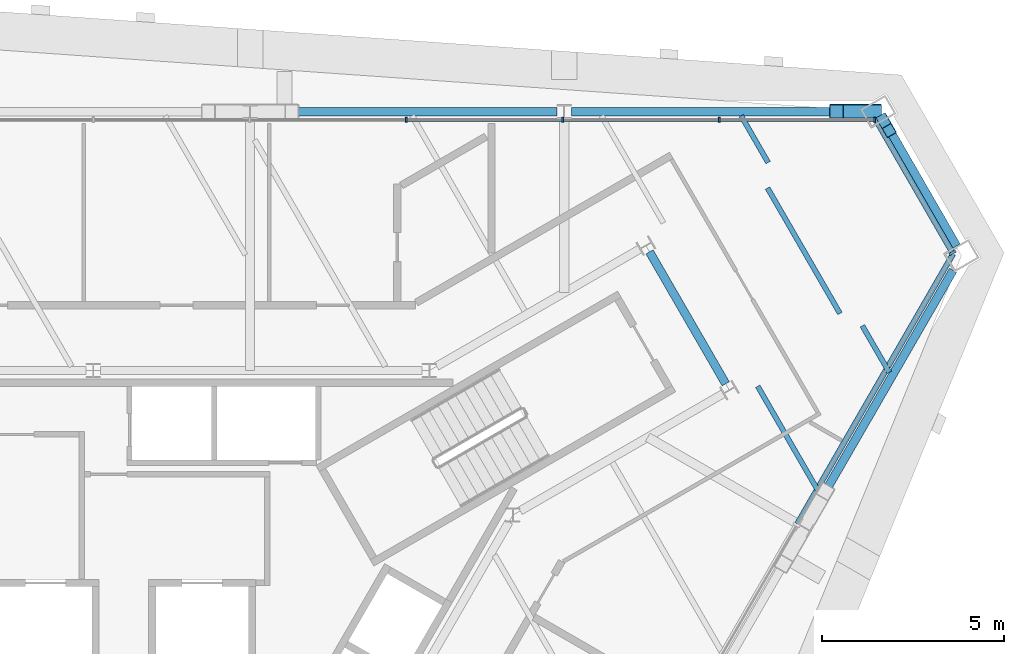
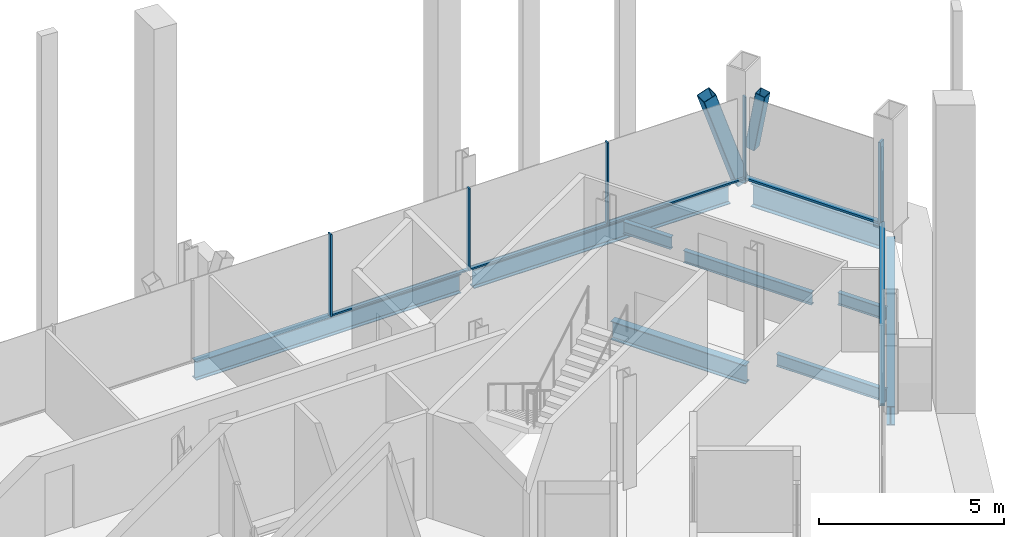
# One storey, part 7 of 14: 12 members, 9 beams, 3 elements without a shape of their own.
"""IFC4 building model written with IfcOpenShell, lengths in metres."""

from ifc_helpers import new_model, si_unit, direction, frame, origin, origin_2d, place, context, subcontext, project, spatial, rectangle, hollow_rectangle, i_section, extrude, material, material_profile, profile_set, type_object, element, aggregate, save


model = new_model("IFC4")

# Units and contexts
model_context = context("Model", 3, precision=1e-05, world=origin(), true_north=direction((0.0, 1.0)))
body_context = subcontext(model_context, "Body", "Model", "MODEL_VIEW")
ifc_project = project(units=[si_unit("LENGTHUNIT", "METRE"), si_unit("AREAUNIT", "SQUARE_METRE"), si_unit("VOLUMEUNIT", "CUBIC_METRE"), si_unit("PLANEANGLEUNIT", "RADIAN"), si_unit("MASSUNIT", "GRAM", prefix="KILO")], contexts=[model_context])

# Site, building, storey
site_placement = place(None, origin())
site = spatial("IfcSite", under=ifc_project, at=site_placement, CompositionType="ELEMENT")
building_placement = place(site_placement, origin())
building = spatial("IfcBuilding", under=site, at=building_placement, Name="Verrane Prism Tower", CompositionType="ELEMENT")
storey_placement = place(building_placement, frame((0.0, 0.0, 206.39990234375)))
storey = spatial("IfcBuildingStorey", under=building, at=storey_placement, Name="L51", CompositionType="ELEMENT", Elevation=206.39990234375)

# Member
ifc_material_1 = material(Name="Steel A500 Grade C", Category="steel")
ifc_material_profile_1 = material_profile(ifc_material_1, hollow_rectangle(XDim=0.3046875, YDim=0.3046875, WallThickness=0.0126953125, InnerFilletRadius=0.00634765625, OuterFilletRadius=0.01904296875, at=origin_2d()), Name="HSS12x12x1/2")
ifc_profile_set_1 = profile_set([ifc_material_profile_1], Name="Steel A500 Grade C")
member_type_1 = type_object("IfcMemberType", Name="Chamfer brace HSS12x12x1/2", PredefinedType="BRACE", material=ifc_profile_set_1)
member_1_placement = place(storey_placement, frame((21.7548828125, 14.89599609375, 0.987548828125), z_axis=(0.087040332453, -0.150912576415, 0.984707761118), x_axis=(0.866246739111, 0.499616439861, 0.0)))
element("IfcMember", 1, at=member_1_placement, inside=storey, type_object=member_type_1, Name="Chamfer brace NE0 L51", PredefinedType="BRACE", context=body_context, shape_type="SweptSolid", body=[
    extrude(hollow_rectangle(XDim=0.3046875, YDim=0.3046875, WallThickness=0.0126953125, InnerFilletRadius=0.00634765625, OuterFilletRadius=0.01904296875, at=origin_2d()), origin(), (0.0, 0.0, 1.0), 1.9072265625),
])

# Beams
ifc_material_2 = material(Name="Steel A992", Category="steel")
ifc_material_profile_2 = material_profile(ifc_material_2, i_section(OverallWidth=0.2666015625, OverallDepth=0.7568359375, WebThickness=0.013916015625, FlangeThickness=0.019287109375, FilletRadius=0.0166015625, at=origin_2d()), Name="W30x108")
ifc_profile_set_2 = profile_set([ifc_material_profile_2], Name="Steel A992")
beam_type_1 = type_object("IfcBeamType", Name="Chamfer spandrel beam W30x108", PredefinedType="SPANDREL", material=ifc_profile_set_2)
beam_1_placement = place(storey_placement, frame((23.760009765625, 11.419921875, -0.538330078125), z_axis=(-0.499626934201, 0.866240686311, 0.0), x_axis=(-0.866240686311, -0.499626934201, 0.0)))
element("IfcBeam", 2, at=beam_1_placement, inside=storey, type_object=beam_type_1, Name="Chamfer spandrel beam L51", PredefinedType="SPANDREL", context=body_context, shape_type="SweptSolid", body=[
    extrude(i_section(OverallWidth=0.2666015625, OverallDepth=0.7568359375, WebThickness=0.013916015625, FlangeThickness=0.019287109375, FilletRadius=0.0166015625, at=origin_2d()), origin(), (0.0, 0.0, 1.0), 3.98291015625),
])
ifc_material_3 = material(Name="Steel A992", Category="steel")
ifc_material_profile_3 = material_profile(ifc_material_3, i_section(OverallWidth=0.23046875, OverallDepth=0.6171875, WebThickness=0.01318359375, FlangeThickness=0.022216796875, FilletRadius=0.012939453125, at=origin_2d()), Name="W24x94")
ifc_profile_set_3 = profile_set([ifc_material_profile_3], Name="Steel A992")
beam_type_2 = type_object("IfcBeamType", Name="Core ring girder W24x94", PredefinedType="BEAM", material=ifc_profile_set_3)
beam_2_placement = place(storey_placement, frame((17.419677734375, 7.6337890625, -0.55859375), z_axis=(-0.500375511519, 0.865808493532, 0.0), x_axis=(-0.865808493532, -0.500375511519, 0.0)))
element("IfcBeam", 3, at=beam_2_placement, inside=storey, type_object=beam_type_2, Name="Core ring girder L51", PredefinedType="BEAM", context=body_context, shape_type="SweptSolid", body=[
    extrude(i_section(OverallWidth=0.23046875, OverallDepth=0.6171875, WebThickness=0.01318359375, FlangeThickness=0.022216796875, FilletRadius=0.012939453125, at=origin_2d()), origin(), (0.0, 0.0, 1.0), 4.195556640625),
])

# Member
ifc_material_4 = material(Name="Steel A500 Grade C", Category="steel")
ifc_material_profile_4 = material_profile(ifc_material_4, hollow_rectangle(XDim=0.406494140625, YDim=0.406494140625, WallThickness=0.01904296875, InnerFilletRadius=0.009521484375, OuterFilletRadius=0.028564453125, at=origin_2d()), Name="HSS16x16x3/4")
ifc_profile_set_4 = profile_set([ifc_material_profile_4], Name="Steel A500 Grade C")
member_type_2 = type_object("IfcMemberType", Name="Facade brace HSS16x16x3/4", PredefinedType="BRACE", material=ifc_profile_set_4)
member_2_placement = place(storey_placement, frame((21.520751953125, 15.1298828125, -0.171630859375), z_axis=(-0.316734790464, 0.0, 0.948514139331), x_axis=(0.0, -1.0, 0.0)))
element("IfcMember", 4, at=member_2_placement, inside=storey, type_object=member_type_2, Name="Facade brace N0 L51", PredefinedType="BRACE", context=body_context, shape_type="SweptSolid", body=[
    extrude(hollow_rectangle(XDim=0.406494140625, YDim=0.406494140625, WallThickness=0.01904296875, InnerFilletRadius=0.009521484375, OuterFilletRadius=0.028564453125, at=origin_2d()), origin(), (0.0, 0.0, 1.0), 3.322265625),
])

# Beams
ifc_material_5 = material(Name="Steel A992", Category="steel")
ifc_material_profile_5 = material_profile(ifc_material_5, i_section(OverallWidth=0.140380859375, OverallDepth=0.40380859375, WebThickness=0.007080078125, FlangeThickness=0.01123046875, FilletRadius=0.01025390625, at=origin_2d()), Name="W16x31")
ifc_profile_set_5 = profile_set([ifc_material_profile_5], Name="Steel A992")
beam_type_3 = type_object("IfcBeamType", Name="Floor beam W16x31", PredefinedType="BEAM", material=ifc_profile_set_5)
beam_3_placement = place(storey_placement, frame((18.586181640625, 13.727294921875, -0.36181640625), z_axis=(-0.500006734102, 0.866021515814, 0.0), x_axis=(-0.866021515814, -0.500006734102, 0.0)))
element("IfcBeam", 5, at=beam_3_placement, inside=storey, type_object=beam_type_3, Name="Floor beam L51", PredefinedType="BEAM", context=body_context, shape_type="SweptSolid", body=[
    extrude(i_section(OverallWidth=0.140380859375, OverallDepth=0.40380859375, WebThickness=0.007080078125, FlangeThickness=0.01123046875, FilletRadius=0.01025390625, at=origin_2d()), origin(), (0.0, 0.0, 1.0), 1.48681640625),
])
beam_4_placement = place(storey_placement, frame((21.92333984375, 7.94580078125, -0.36181640625), z_axis=(-0.499902584933, 0.866081639095, 0.0), x_axis=(-0.866081639095, -0.499902584933, 0.0)))
element("IfcBeam", 6, at=beam_4_placement, inside=storey, type_object=beam_type_3, Name="Floor beam L51", PredefinedType="BEAM", context=body_context, shape_type="SweptSolid", body=[
    extrude(i_section(OverallWidth=0.140380859375, OverallDepth=0.40380859375, WebThickness=0.007080078125, FlangeThickness=0.01123046875, FilletRadius=0.01025390625, at=origin_2d()), origin(), (0.0, 0.0, 1.0), 1.486083984375),
])
beam_5_placement = place(storey_placement, frame((20.00341796875, 4.61669921875, -0.36181640625), z_axis=(-0.500041054325, 0.866001699761, 0.0), x_axis=(-0.866001699761, -0.500041054325, 0.0)))
element("IfcBeam", 7, at=beam_5_placement, inside=storey, type_object=beam_type_3, Name="Floor beam L51", PredefinedType="BEAM", context=body_context, shape_type="SweptSolid", body=[
    extrude(i_section(OverallWidth=0.140380859375, OverallDepth=0.40380859375, WebThickness=0.007080078125, FlangeThickness=0.01123046875, FilletRadius=0.01025390625, at=origin_2d()), origin(), (0.0, 0.0, 1.0), 3.405029296875),
])
beam_6_placement = place(storey_placement, frame((20.56494140625, 9.56982421875, -0.36181640625), z_axis=(-0.499989060909, 0.866031719379, 0.0), x_axis=(-0.866031719379, -0.499989060909, 0.0)))
element("IfcBeam", 8, at=beam_6_placement, inside=storey, type_object=beam_type_3, Name="Floor beam L51", PredefinedType="BEAM", context=body_context, shape_type="SweptSolid", body=[
    extrude(i_section(OverallWidth=0.140380859375, OverallDepth=0.40380859375, WebThickness=0.007080078125, FlangeThickness=0.01123046875, FilletRadius=0.01025390625, at=origin_2d()), origin(), (0.0, 0.0, 1.0), 3.98974609375),
])

# Curtain wall, members
ifc_material_6 = material(Name="Aluminium framed insulated glazing", Category="aluminium")
curtain_wall_type_1 = type_object("IfcCurtainWallType", Name="Curtain wall CW-C 4200 module", PredefinedType="NOTDEFINED", material=ifc_material_6)
curtain_wall_1_placement = place(storey_placement, origin())
curtain_wall_1 = element("IfcCurtainWall", 9, at=curtain_wall_1_placement, inside=storey, type_object=curtain_wall_type_1, Name="Glazed curtain wall north face L51", PredefinedType="NOTDEFINED")
ifc_material_7 = material(Name="Aluminium alloy 6063-T6", Category="aluminium")
ifc_material_profile_6 = material_profile(ifc_material_7, rectangle(XDim=0.139892578125, YDim=0.050048828125, at=origin_2d()), Name="Mullion 50x140 aluminium")
ifc_profile_set_6 = profile_set([ifc_material_profile_6], Name="Aluminium alloy 6063-T6")
member_type_3 = type_object("IfcMemberType", Name="Mullion 50x140 aluminium", PredefinedType="MULLION", material=ifc_profile_set_6)
member_3_placement = place(storey_placement, frame((21.52587890625, 14.90185546875, 0.0), z_axis=(0.0, 0.0, 1.0), x_axis=(0.0, -1.0, 0.0)))
member_3 = element("IfcMember", 10, at=member_3_placement, type_object=member_type_3, Name="CW51.2 mullion 1", PredefinedType="MULLION", context=body_context, shape_type="SweptSolid", body=[
    extrude(rectangle(XDim=0.139892578125, YDim=0.050048828125, at=origin_2d()), origin(), (0.0, 0.0, 1.0), 2.712890625),
])
member_4_placement = place(storey_placement, frame((17.24072265625, 14.90185546875, 0.0), z_axis=(0.0, 0.0, 1.0), x_axis=(0.0, -1.0, 0.0)))
member_4 = element("IfcMember", 11, at=member_4_placement, type_object=member_type_3, Name="CW51.2 mullion 2", PredefinedType="MULLION", context=body_context, shape_type="SweptSolid", body=[
    extrude(rectangle(XDim=0.139892578125, YDim=0.050048828125, at=origin_2d()), origin(), (0.0, 0.0, 1.0), 2.712890625),
])
member_5_placement = place(storey_placement, frame((12.930419921875, 14.90185546875, 0.0), z_axis=(0.0, 0.0, 1.0), x_axis=(0.0, -1.0, 0.0)))
member_5 = element("IfcMember", 12, at=member_5_placement, type_object=member_type_3, Name="CW51.2 mullion 3", PredefinedType="MULLION", context=body_context, shape_type="SweptSolid", body=[
    extrude(rectangle(XDim=0.139892578125, YDim=0.050048828125, at=origin_2d()), origin(), (0.0, 0.0, 1.0), 2.712890625),
])
member_6_placement = place(storey_placement, frame((8.620361328125, 14.90185546875, 0.0), z_axis=(0.0, 0.0, 1.0), x_axis=(0.0, -1.0, 0.0)))
member_6 = element("IfcMember", 13, at=member_6_placement, type_object=member_type_3, Name="CW51.2 mullion 4", PredefinedType="MULLION", context=body_context, shape_type="SweptSolid", body=[
    extrude(rectangle(XDim=0.139892578125, YDim=0.050048828125, at=origin_2d()), origin(), (0.0, 0.0, 1.0), 2.712890625),
])

# Curtain wall, member
ifc_material_8 = material(Name="Aluminium framed insulated glazing", Category="aluminium")
curtain_wall_type_2 = type_object("IfcCurtainWallType", Name="Curtain wall CW-A 8400 module", PredefinedType="NOTDEFINED", material=ifc_material_8)
curtain_wall_2_placement = place(storey_placement, origin())
curtain_wall_2 = element("IfcCurtainWall", 14, at=curtain_wall_2_placement, inside=storey, type_object=curtain_wall_type_2, Name="Glazed curtain wall north-east corner L51", PredefinedType="NOTDEFINED")
ifc_material_9 = material(Name="Aluminium alloy 6063-T6", Category="aluminium")
ifc_material_profile_7 = material_profile(ifc_material_9, rectangle(XDim=0.199951171875, YDim=0.070068359375, at=origin_2d()), Name="Mullion 70x200 aluminium")
ifc_profile_set_7 = profile_set([ifc_material_profile_7], Name="Aluminium alloy 6063-T6")
member_type_4 = type_object("IfcMemberType", Name="Mullion 70x200 aluminium", PredefinedType="MULLION", material=ifc_profile_set_7)
member_7_placement = place(storey_placement, frame((23.6630859375, 11.242919921875, 0.0), z_axis=(0.0, 0.0, 1.0), x_axis=(-0.866025696345, -0.49999949327, 0.0)))
member_7 = element("IfcMember", 15, at=member_7_placement, type_object=member_type_4, Name="CW51.1 mullion 1", PredefinedType="MULLION", context=body_context, shape_type="SweptSolid", body=[
    extrude(rectangle(XDim=0.199951171875, YDim=0.070068359375, at=origin_2d()), origin(), (0.0, 0.0, 1.0), 2.712890625),
])

# Beams
ifc_material_10 = material(Name="Steel A992", Category="steel")
ifc_material_profile_8 = material_profile(ifc_material_10, i_section(OverallWidth=0.23046875, OverallDepth=0.6171875, WebThickness=0.01318359375, FlangeThickness=0.022216796875, FilletRadius=0.012939453125, at=origin_2d()), Name="W24x94")
ifc_profile_set_8 = profile_set([ifc_material_profile_8], Name="Steel A992")
beam_type_4 = type_object("IfcBeamType", Name="Spandrel beam W24x94", PredefinedType="SPANDREL", material=ifc_profile_set_8)
beam_7_placement = place(storey_placement, frame((21.158203125, 15.1298828125, -0.468505859375), z_axis=(-1.0, 0.0, 0.0), x_axis=(0.0, -1.0, 0.0)))
element("IfcBeam", 16, at=beam_7_placement, inside=storey, type_object=beam_type_4, Name="Spandrel beam L51", PredefinedType="SPANDREL", context=body_context, shape_type="SweptSolid", body=[
    extrude(i_section(OverallWidth=0.23046875, OverallDepth=0.6171875, WebThickness=0.01318359375, FlangeThickness=0.022216796875, FilletRadius=0.012939453125, at=origin_2d()), origin(), (0.0, 0.0, 1.0), 7.987548828125),
])
beam_8_placement = place(storey_placement, frame((12.769287109375, 15.1298828125, -0.468505859375), z_axis=(-1.0, 0.0, 0.0), x_axis=(0.0, -1.0, 0.0)))
element("IfcBeam", 17, at=beam_8_placement, inside=storey, type_object=beam_type_4, Name="Spandrel beam L51", PredefinedType="SPANDREL", context=body_context, shape_type="SweptSolid", body=[
    extrude(i_section(OverallWidth=0.23046875, OverallDepth=0.6171875, WebThickness=0.01318359375, FlangeThickness=0.022216796875, FilletRadius=0.012939453125, at=origin_2d()), origin(), (0.0, 0.0, 1.0), 8.24853515625),
])
beam_9_placement = place(storey_placement, frame((19.690185546875, 3.84375, -0.468505859375), z_axis=(0.499628915067, 0.866239543792, 0.0), x_axis=(-0.866239543792, 0.499628915067, 0.0)))
element("IfcBeam", 18, at=beam_9_placement, inside=storey, type_object=beam_type_4, Name="Spandrel beam L51", PredefinedType="SPANDREL", context=body_context, shape_type="SweptSolid", body=[
    extrude(i_section(OverallWidth=0.23046875, OverallDepth=0.6171875, WebThickness=0.01318359375, FlangeThickness=0.022216796875, FilletRadius=0.012939453125, at=origin_2d()), origin(), (0.0, 0.0, 1.0), 7.98388671875),
])

# Member
ifc_material_11 = material(Name="Aluminium alloy 6063-T6", Category="aluminium")
ifc_material_profile_9 = material_profile(ifc_material_11, rectangle(XDim=0.10009765625, YDim=0.050048828125, at=origin_2d()), Name="Transom 50x100 aluminium")
ifc_profile_set_9 = profile_set([ifc_material_profile_9], Name="Aluminium alloy 6063-T6")
member_type_5 = type_object("IfcMemberType", Name="Transom 50x100 aluminium", PredefinedType="USERDEFINED", material=ifc_profile_set_9)
member_8_placement = place(storey_placement, frame((21.500732421875, 14.90185546875, 0.025146484375), z_axis=(-1.0, 0.0, 0.0), x_axis=(0.0, -1.0, 0.0)))
member_8 = element("IfcMember", 19, at=member_8_placement, type_object=member_type_5, Name="CW51.2 transom 1", ObjectType="TRANSOM", PredefinedType="USERDEFINED", context=body_context, shape_type="SweptSolid", body=[
    extrude(rectangle(XDim=0.10009765625, YDim=0.050048828125, at=origin_2d()), origin(), (0.0, 0.0, 1.0), 4.235107421875),
])

member_9_placement = place(storey_placement, frame((17.215576171875, 14.90185546875, 0.025146484375), z_axis=(-1.0, 0.0, 0.0), x_axis=(0.0, -1.0, 0.0)))
member_9 = element("IfcMember", 20, at=member_9_placement, type_object=member_type_5, Name="CW51.2 transom 2", ObjectType="TRANSOM", PredefinedType="USERDEFINED", context=body_context, shape_type="SweptSolid", body=[
    extrude(rectangle(XDim=0.10009765625, YDim=0.050048828125, at=origin_2d()), origin(), (0.0, 0.0, 1.0), 4.260009765625),
])

member_10_placement = place(storey_placement, frame((12.905517578125, 14.90185546875, 0.025146484375), z_axis=(-1.0, 0.0, 0.0), x_axis=(0.0, -1.0, 0.0)))
member_10 = element("IfcMember", 21, at=member_10_placement, type_object=member_type_5, Name="CW51.2 transom 3", ObjectType="TRANSOM", PredefinedType="USERDEFINED", context=body_context, shape_type="SweptSolid", body=[
    extrude(rectangle(XDim=0.10009765625, YDim=0.050048828125, at=origin_2d()), origin(), (0.0, 0.0, 1.0), 4.26025390625),
])

aggregate(curtain_wall_1, [member_3, member_4, member_5, member_6, member_8, member_9, member_10])

ifc_material_12 = material(Name="Aluminium alloy 6063-T6", Category="aluminium")
ifc_material_profile_10 = material_profile(ifc_material_12, rectangle(XDim=0.14990234375, YDim=0.070068359375, at=origin_2d()), Name="Transom 70x150 aluminium")
ifc_profile_set_10 = profile_set([ifc_material_profile_10], Name="Aluminium alloy 6063-T6")
member_type_6 = type_object("IfcMemberType", Name="Transom 70x150 aluminium", PredefinedType="USERDEFINED", material=ifc_profile_set_10)
member_11_placement = place(storey_placement, frame((23.645751953125, 11.2734375, 0.03515625), z_axis=(-0.500018368146, 0.86601479867, 0.0), x_axis=(-0.86601479867, -0.500018368146, 0.0)))
member_11 = element("IfcMember", 22, at=member_11_placement, type_object=member_type_6, Name="CW51.1 transom 1", ObjectType="TRANSOM", PredefinedType="USERDEFINED", context=body_context, shape_type="SweptSolid", body=[
    extrude(rectangle(XDim=0.14990234375, YDim=0.070068359375, at=origin_2d()), origin(), (0.0, 0.0, 1.0), 4.189697265625),
])

aggregate(curtain_wall_2, [member_7, member_11])

# Curtain wall, member
curtain_wall_3_placement = place(storey_placement, origin())
curtain_wall_3 = element("IfcCurtainWall", 23, at=curtain_wall_3_placement, inside=storey, type_object=curtain_wall_type_2, Name="Glazed curtain wall south-east face L51", PredefinedType="NOTDEFINED")
member_12_placement = place(storey_placement, frame((19.387939453125, 3.777587890625, 0.03515625), z_axis=(0.500007995801, 0.866020787358, 0.0), x_axis=(-0.866020787358, 0.500007995801, 0.0)))
member_12 = element("IfcMember", 24, at=member_12_placement, type_object=member_type_6, Name="CW51.6 transom 5", ObjectType="TRANSOM", PredefinedType="USERDEFINED", context=body_context, shape_type="SweptSolid", body=[
    extrude(rectangle(XDim=0.14990234375, YDim=0.070068359375, at=origin_2d()), origin(), (0.0, 0.0, 1.0), 8.585205078125),
])
aggregate(curtain_wall_3, [member_12])

save(model, "model.ifc")
